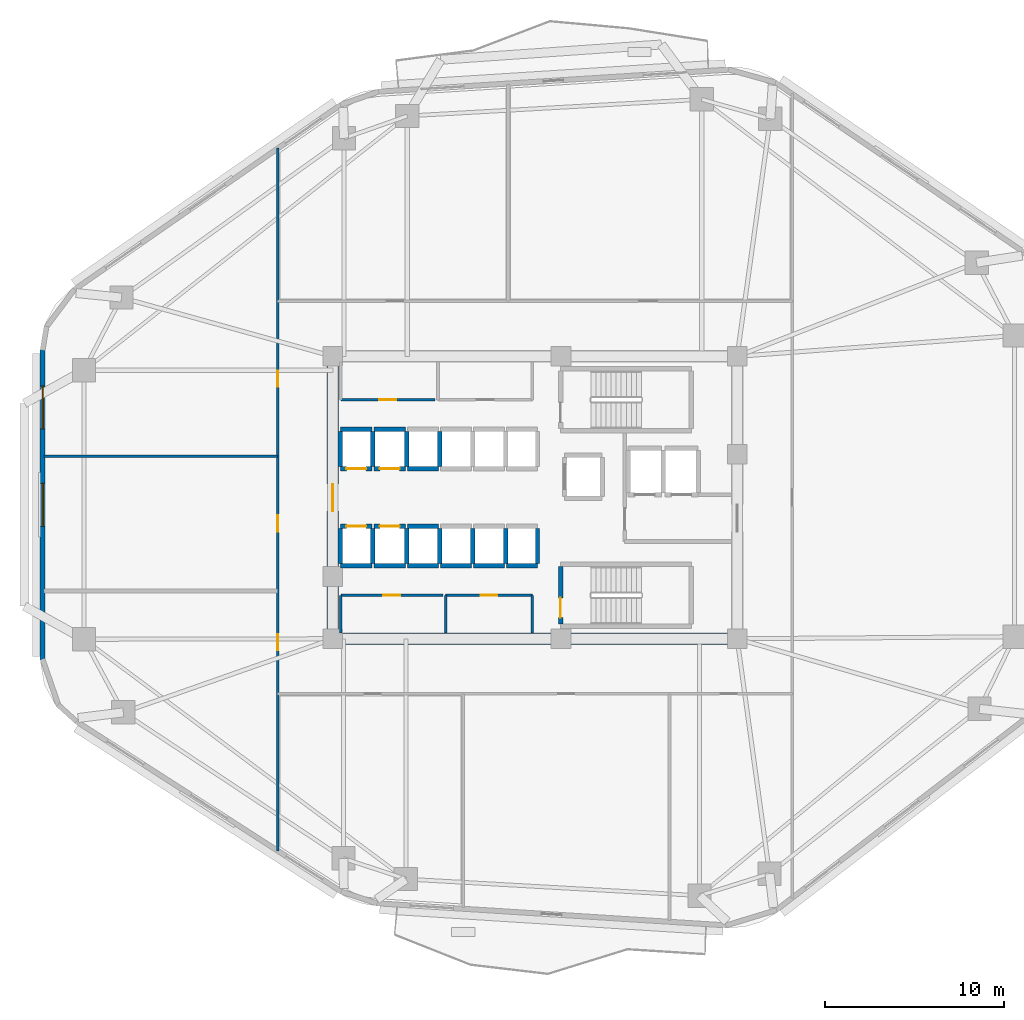
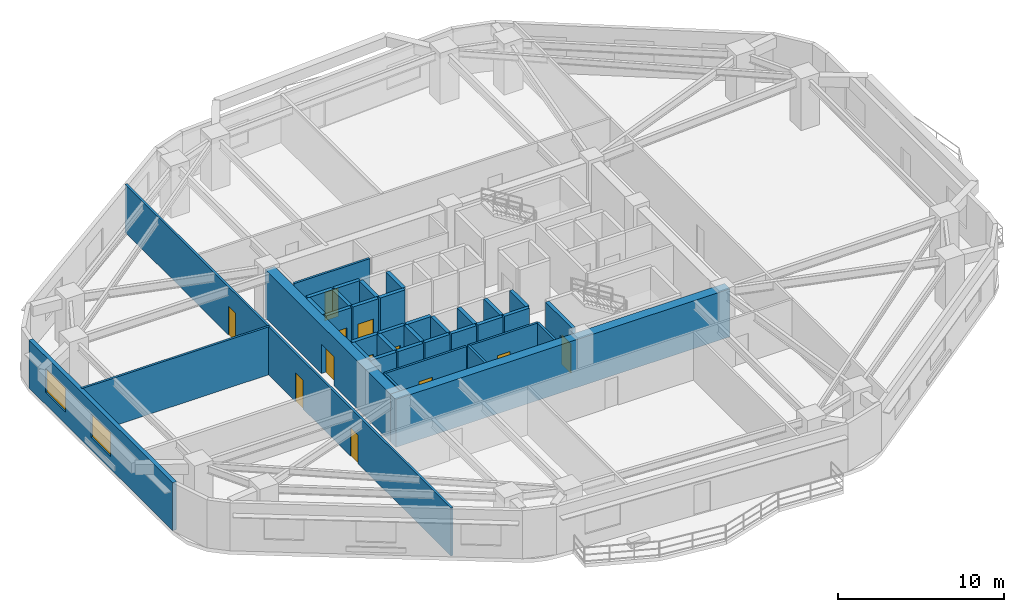
# One storey, part 3 of 8: 37 walls, 12 doors, 2 windows, 14 openings.
"""IFC4 building model written with IfcOpenShell, lengths in metres."""

from ifc_helpers import new_model, si_unit, direction, frame, frame_2d, origin, place, context, subcontext, project, spatial, rectangle, extrude, material, layer, layer_set, type_object, element, fill, save


model = new_model("IFC4")

# Units and contexts
model_context = context("Model", 3, precision=1e-05, world=origin(), true_north=direction((0.0, 1.0)))
body_context = subcontext(model_context, "Body", "Model", "MODEL_VIEW")
ifc_project = project(units=[si_unit("LENGTHUNIT", "METRE"), si_unit("AREAUNIT", "SQUARE_METRE"), si_unit("VOLUMEUNIT", "CUBIC_METRE"), si_unit("PLANEANGLEUNIT", "RADIAN"), si_unit("MASSUNIT", "GRAM", prefix="KILO")], contexts=[model_context])

# Site, building, storey
site_placement = place(None, origin())
site = spatial("IfcSite", under=ifc_project, at=site_placement, CompositionType="ELEMENT")
building_placement = place(site_placement, origin())
building = spatial("IfcBuilding", under=site, at=building_placement, Name="Zulverin Broadcast Headquarters", CompositionType="ELEMENT")
storey_placement = place(building_placement, frame((0.0, 0.0, 44.0)))
storey = spatial("IfcBuildingStorey", under=building, at=storey_placement, Name="L10", CompositionType="ELEMENT", Elevation=44.0)

# Wall
ifc_material_1 = material(Name="Concrete C60/75", Category="concrete")
ifc_layer_1 = layer(ifc_material_1, 0.64990234375, Name="Concrete C60/75", Category="concrete")
ifc_layer_set_1 = layer_set([ifc_layer_1], Name="Concrete C60/75")
wall_type_1 = type_object("IfcWallType", Name="WL-CORE-650", PredefinedType="SHEAR", material=ifc_layer_set_1)
wall_1_placement = place(storey_placement, frame((25.39990234375, 17.324951171875, 0.0), z_axis=(0.0, 0.0, 1.0), x_axis=(1.0, 0.0, 0.0)))
element("IfcWall", 1, at=wall_1_placement, inside=storey, type_object=wall_type_1, Name="L10 Core South Shear Wall", PredefinedType="SHEAR", context=body_context, shape_type="SweptSolid", body=[
    extrude(rectangle(XDim=23.2001953125, YDim=0.64990234375, at=frame_2d((11.60009765625, 0.0))), origin(), (0.0, 0.0, 1.0), 3.52490234375),
])

# Wall, opening, door
wall_2_placement = place(storey_placement, frame((25.72509765625, 17.64990234375, 0.0), z_axis=(0.0, 0.0, 1.0), x_axis=(0.0, 1.0, 0.0)))
wall_2 = element("IfcWall", 2, at=wall_2_placement, inside=storey, type_object=wall_type_1, Name="L10 Core West Shear Wall", PredefinedType="SHEAR", context=body_context, shape_type="SweptSolid", body=[
    extrude(rectangle(XDim=15.10009765625, YDim=0.64990234375, at=frame_2d((7.550048828125, 0.0))), origin(), (0.0, 0.0, 1.0), 3.52490234375),
])
opening_1_placement = place(wall_2_placement, frame((6.800048828125, 0.0, 0.0)))
opening_1 = element("IfcOpeningElement", 3, at=opening_1_placement, cuts=wall_2, Name="Opening D-L10-CW1", PredefinedType="OPENING", context=body_context, shape_type="SweptSolid", body=[
    extrude(rectangle(XDim=1.5, YDim=2.14990234375, at=frame_2d((0.75, 1.074951171875))), frame((0.0, 0.3349609375, 0.0), z_axis=(0.0, -1.0, 0.0), x_axis=(1.0, 0.0, 0.0)), (0.0, 0.0, 1.0), 0.669921875),
])
ifc_material_2 = material(Name="Fire-rated glazed steel frame", Category="steel")
door_type_1 = type_object("IfcDoorType", Name="DR-COR-1500", OperationType="DOUBLE_DOOR_SINGLE_SWING", PredefinedType="DOOR", material=ifc_material_2)
door_1_placement = place(opening_1_placement, origin())
door_1 = element("IfcDoor", 4, at=door_1_placement, inside=storey, type_object=door_type_1, Name="L10 Central Lift Lobby West Portal Door", OperationType="DOUBLE_DOOR_SINGLE_SWING", OverallHeight=2.14990234375, OverallWidth=1.5, PredefinedType="DOOR", context=body_context, shape_type="SweptSolid", body=[
    extrude(rectangle(XDim=1.5, YDim=2.14990234375, at=frame_2d((0.75, 1.074951171875))), frame((0.0, 0.02490234375, 0.0), z_axis=(0.0, -1.0, 0.0), x_axis=(1.0, 0.0, 0.0)), (0.0, 0.0, 1.0), 0.050048828125),
])
fill(opening_1, door_1)

# Wall, openings, windows
ifc_material_3 = material(Name="Insulated pale-metal clad concrete spandrel C40/50", Category="concrete")
ifc_layer_2 = layer(ifc_material_3, 0.280029296875, Name="Insulated pale-metal clad concrete spandrel C40/50", Category="concrete")
ifc_layer_set_2 = layer_set([ifc_layer_2], Name="Insulated pale-metal clad concrete spandrel C40/50")
wall_type_2 = type_object("IfcWallType", Name="WL-EXT-280", PredefinedType="STANDARD", material=ifc_layer_set_2)
wall_3_placement = place(storey_placement, frame((9.5400390625, 33.4443359375, 0.0), z_axis=(0.0, 0.0, 1.0), x_axis=(0.0, -1.0, 0.0)))
wall_3 = element("IfcWall", 5, at=wall_3_placement, inside=storey, type_object=wall_type_2, Name="L10 Pale-Metal Clad Spandrel Wall 7", PredefinedType="STANDARD", context=body_context, shape_type="SweptSolid", body=[
    extrude(rectangle(XDim=17.30078125, YDim=0.280029296875, at=frame_2d((8.650390625, 0.0))), origin(), (0.0, 0.0, 1.0), 3.52490234375),
])
opening_2_placement = place(wall_3_placement, frame((2.016845703125, 0.0, 0.89990234375)))
opening_2 = element("IfcOpeningElement", 6, at=opening_2_placement, cuts=wall_3, Name="Opening W-L10-E71", PredefinedType="OPENING", context=body_context, shape_type="SweptSolid", body=[
    extrude(rectangle(XDim=2.39990234375, YDim=1.75, at=frame_2d((1.199951171875, 0.875))), frame((0.0, 0.14990234375, 0.0), z_axis=(0.0, -1.0, 0.0), x_axis=(1.0, 0.0, 0.0)), (0.0, 0.0, 1.0), 0.300048828125),
])
opening_3_placement = place(wall_3_placement, frame((7.450439453125, 0.0, 0.89990234375)))
opening_3 = element("IfcOpeningElement", 7, at=opening_3_placement, cuts=wall_3, Name="Opening W-L10-E72", PredefinedType="OPENING", context=body_context, shape_type="SweptSolid", body=[
    extrude(rectangle(XDim=2.39990234375, YDim=1.75, at=frame_2d((1.199951171875, 0.875))), frame((0.0, 0.14990234375, 0.0), z_axis=(0.0, -1.0, 0.0), x_axis=(1.0, 0.0, 0.0)), (0.0, 0.0, 1.0), 0.300048828125),
])
ifc_material_4 = material(Name="Pale anodized aluminium frame with solar-control low-E double glazing", Category="aluminium")
window_type = type_object("IfcWindowType", Name="WIN-RIB-2400", PartitioningType="SINGLE_PANEL", PredefinedType="WINDOW", material=ifc_material_4)
window_1_placement = place(opening_2_placement, origin())
window_1 = element("IfcWindow", 8, at=window_1_placement, inside=storey, type_object=window_type, Name="L10 Ribbon Glazing Window 7 1", OverallHeight=1.75, OverallWidth=2.39990234375, PartitioningType="SINGLE_PANEL", PredefinedType="WINDOW", context=body_context, shape_type="SweptSolid", body=[
    extrude(rectangle(XDim=2.39990234375, YDim=1.75, at=frame_2d((1.199951171875, 0.875))), frame((0.0, 0.030029296875, 0.0), z_axis=(0.0, -1.0, 0.0), x_axis=(1.0, 0.0, 0.0)), (0.0, 0.0, 1.0), 0.06005859375),
])
fill(opening_2, window_1)
window_2_placement = place(opening_3_placement, origin())
window_2 = element("IfcWindow", 9, at=window_2_placement, inside=storey, type_object=window_type, Name="L10 Ribbon Glazing Window 7 2", OverallHeight=1.75, OverallWidth=2.39990234375, PartitioningType="SINGLE_PANEL", PredefinedType="WINDOW", context=body_context, shape_type="SweptSolid", body=[
    extrude(rectangle(XDim=2.39990234375, YDim=1.75, at=frame_2d((1.199951171875, 0.875))), frame((0.0, 0.030029296875, 0.0), z_axis=(0.0, -1.0, 0.0), x_axis=(1.0, 0.0, 0.0)), (0.0, 0.0, 1.0), 0.06005859375),
])
fill(opening_3, window_2)

# Wall, opening, door
ifc_material_5 = material(Name="Fire-rated gypsum stud partition", Category="gypsum")
ifc_layer_3 = layer(ifc_material_5, 0.14990234375, Name="Fire-rated gypsum stud partition", Category="gypsum")
ifc_layer_set_3 = layer_set([ifc_layer_3], Name="Fire-rated gypsum stud partition")
wall_type_3 = type_object("IfcWallType", Name="WL-PART-150", PredefinedType="PARTITIONING", material=ifc_layer_set_3)
wall_4_placement = place(storey_placement, frame((26.169921875, 30.64990234375, 0.0), z_axis=(0.0, 0.0, 1.0), x_axis=(1.0, 0.0, 0.0)))
wall_4 = element("IfcWall", 10, at=wall_4_placement, inside=storey, type_object=wall_type_3, Name="L10 Core Male WC Front Wall", PredefinedType="PARTITIONING", context=body_context, shape_type="SweptSolid", body=[
    extrude(rectangle(XDim=5.260009765625, YDim=0.14990234375, at=frame_2d((2.6298828125, 0.0))), origin(), (0.0, 0.0, 1.0), 3.52490234375),
])
opening_4_placement = place(wall_4_placement, frame((2.155029296875, 0.0, 0.0)))
opening_4 = element("IfcOpeningElement", 11, at=opening_4_placement, cuts=wall_4, Name="Opening D-L10-NC1", PredefinedType="OPENING", context=body_context, shape_type="SweptSolid", body=[
    extrude(rectangle(XDim=0.949951171875, YDim=2.10009765625, at=frame_2d((0.47509765625, 1.050048828125))), frame((0.0, 0.0849609375, 0.0), z_axis=(0.0, -1.0, 0.0), x_axis=(1.0, 0.0, 0.0)), (0.0, 0.0, 1.0), 0.169921875),
])
ifc_material_6 = material(Name="Fire-rated moisture-resistant laminate leaf", Category="wood")
door_type_2 = type_object("IfcDoorType", Name="DR-WC-950", OperationType="SINGLE_SWING_LEFT", PredefinedType="DOOR", material=ifc_material_6)
door_2_placement = place(opening_4_placement, origin())
door_2 = element("IfcDoor", 12, at=door_2_placement, inside=storey, type_object=door_type_2, Name="L10 Male WC Door", OperationType="SINGLE_SWING_LEFT", OverallHeight=2.10009765625, OverallWidth=0.949951171875, PredefinedType="DOOR", context=body_context, shape_type="SweptSolid", body=[
    extrude(rectangle(XDim=0.949951171875, YDim=2.10009765625, at=frame_2d((0.47509765625, 1.050048828125))), frame((0.0, 0.02490234375, 0.0), z_axis=(0.0, -1.0, 0.0), x_axis=(1.0, 0.0, 0.0)), (0.0, 0.0, 1.0), 0.050048828125),
])
fill(opening_4, door_2)

wall_5_placement = place(storey_placement, frame((26.169921875, 19.75, 0.0), z_axis=(0.0, 0.0, 1.0), x_axis=(1.0, 0.0, 0.0)))
wall_5 = element("IfcWall", 13, at=wall_5_placement, inside=storey, type_object=wall_type_3, Name="L10 Core Female WC Front Wall", PredefinedType="PARTITIONING", context=body_context, shape_type="SweptSolid", body=[
    extrude(rectangle(XDim=5.690185546875, YDim=0.14990234375, at=frame_2d((2.84521484375, 0.0))), origin(), (0.0, 0.0, 1.0), 3.52490234375),
])
opening_5_placement = place(wall_5_placement, frame((2.3701171875, 0.0, 0.0)))
opening_5 = element("IfcOpeningElement", 14, at=opening_5_placement, cuts=wall_5, Name="Opening D-L10-SC1", PredefinedType="OPENING", context=body_context, shape_type="SweptSolid", body=[
    extrude(rectangle(XDim=0.949951171875, YDim=2.10009765625, at=frame_2d((0.47509765625, 1.050048828125))), frame((0.0, 0.0849609375, 0.0), z_axis=(0.0, -1.0, 0.0), x_axis=(1.0, 0.0, 0.0)), (0.0, 0.0, 1.0), 0.169921875),
])
door_3_placement = place(opening_5_placement, origin())
door_3 = element("IfcDoor", 15, at=door_3_placement, inside=storey, type_object=door_type_2, Name="L10 Female WC Door", OperationType="SINGLE_SWING_LEFT", OverallHeight=2.10009765625, OverallWidth=0.949951171875, PredefinedType="DOOR", context=body_context, shape_type="SweptSolid", body=[
    extrude(rectangle(XDim=0.949951171875, YDim=2.10009765625, at=frame_2d((0.47509765625, 1.050048828125))), frame((0.0, 0.02490234375, 0.0), z_axis=(0.0, -1.0, 0.0), x_axis=(1.0, 0.0, 0.0)), (0.0, 0.0, 1.0), 0.050048828125),
])
fill(opening_5, door_3)

# Wall
wall_6_placement = place(storey_placement, frame((26.169921875, 17.64990234375, 0.0), z_axis=(0.0, 0.0, 1.0), x_axis=(0.0, 1.0, 0.0)))
element("IfcWall", 16, at=wall_6_placement, inside=storey, type_object=wall_type_3, Name="L10 Core Female WC West Wall", PredefinedType="PARTITIONING", context=body_context, shape_type="SweptSolid", body=[
    extrude(rectangle(XDim=2.10009765625, YDim=0.14990234375, at=frame_2d((1.050048828125, 0.0))), origin(), (0.0, 0.0, 1.0), 3.52490234375),
])

# Wall, opening, door
wall_7_placement = place(storey_placement, frame((32.02001953125, 19.75, 0.0), z_axis=(0.0, 0.0, 1.0), x_axis=(1.0, 0.0, 0.0)))
wall_7 = element("IfcWall", 17, at=wall_7_placement, inside=storey, type_object=wall_type_3, Name="L10 Core Cleaner Store & Telecoms Riser Front Wall", PredefinedType="PARTITIONING", context=body_context, shape_type="SweptSolid", body=[
    extrude(rectangle(XDim=4.830078125, YDim=0.14990234375, at=frame_2d((2.4150390625, 0.0))), origin(), (0.0, 0.0, 1.0), 3.52490234375),
])
opening_6_placement = place(wall_7_placement, frame((1.965087890625, 0.0, 0.0)))
opening_6 = element("IfcOpeningElement", 18, at=opening_6_placement, cuts=wall_7, Name="Opening D-L10-SC2", PredefinedType="OPENING", context=body_context, shape_type="SweptSolid", body=[
    extrude(rectangle(XDim=0.89990234375, YDim=2.10009765625, at=frame_2d((0.449951171875, 1.050048828125))), frame((0.0, 0.0849609375, 0.0), z_axis=(0.0, -1.0, 0.0), x_axis=(1.0, 0.0, 0.0)), (0.0, 0.0, 1.0), 0.169921875),
])
ifc_material_7 = material(Name="Powder-coated steel access leaf", Category="steel")
door_type_3 = type_object("IfcDoorType", Name="DR-RISER-900", OperationType="SINGLE_SWING_LEFT", PredefinedType="DOOR", material=ifc_material_7)
door_4_placement = place(opening_6_placement, origin())
door_4 = element("IfcDoor", 19, at=door_4_placement, inside=storey, type_object=door_type_3, Name="L10 Cleaner Store & Telecoms Riser Door", OperationType="SINGLE_SWING_RIGHT", OverallHeight=2.10009765625, OverallWidth=0.89990234375, PredefinedType="DOOR", context=body_context, shape_type="SweptSolid", body=[
    extrude(rectangle(XDim=0.89990234375, YDim=2.10009765625, at=frame_2d((0.449951171875, 1.050048828125))), frame((0.0, 0.02490234375, 0.0), z_axis=(0.0, -1.0, 0.0), x_axis=(1.0, 0.0, 0.0)), (0.0, 0.0, 1.0), 0.050048828125),
])
fill(opening_6, door_4)

# Walls
for number, where, z_axis, x_axis, name in (
    (20, (32.02001953125, 17.64990234375, 0.0), (0.0, 0.0, 1.0), (0.0, 1.0, 0.0), "L10 Core Cleaner Store & Telecoms Riser West Wall"),
    (21, (36.85009765625, 17.64990234375, 0.0), (0.0, 0.0, 1.0), (0.0, 1.0, 0.0), "L10 Core Cleaner Store & Telecoms Riser East Wall"),
):
    element("IfcWall", number, at=place(storey_placement, frame(where, z_axis=z_axis, x_axis=x_axis)), inside=storey, type_object=wall_type_3, Name=name, PredefinedType="PARTITIONING", context=body_context, shape_type="SweptSolid", body=[
        extrude(rectangle(XDim=2.10009765625, YDim=0.14990234375, at=frame_2d((1.050048828125, 0.0))), origin(), (0.0, 0.0, 1.0), 3.52490234375),
    ])

# Wall, openings, doors
wall_8_placement = place(storey_placement, frame((22.64990234375, 5.476318359375, 0.0), z_axis=(0.0, 0.0, 1.0), x_axis=(0.0, 1.0, 0.0)))
wall_8 = element("IfcWall", 22, at=wall_8_placement, inside=storey, type_object=wall_type_3, Name="L10 Gallery Partition Wall CG-05", PredefinedType="PARTITIONING", context=body_context, shape_type="SweptSolid", body=[
    extrude(rectangle(XDim=39.220703125, YDim=0.14990234375, at=frame_2d((19.6103515625, 0.0))), origin(), (0.0, 0.0, 1.0), 3.52490234375),
])
opening_7_placement = place(wall_8_placement, frame((11.19873046875, 0.0, 0.0)))
opening_7 = element("IfcOpeningElement", 23, at=opening_7_placement, cuts=wall_8, Name="Opening D-L10-06", PredefinedType="OPENING", context=body_context, shape_type="SweptSolid", body=[
    extrude(rectangle(XDim=0.89990234375, YDim=2.10009765625, at=frame_2d((0.449951171875, 1.050048828125))), frame((0.0, 0.0849609375, 0.0), z_axis=(0.0, -1.0, 0.0), x_axis=(1.0, 0.0, 0.0)), (0.0, 0.0, 1.0), 0.169921875),
])
opening_8_placement = place(wall_8_placement, frame((17.82373046875, 0.0, 0.0)))
opening_8 = element("IfcOpeningElement", 24, at=opening_8_placement, cuts=wall_8, Name="Opening D-L10-07", PredefinedType="OPENING", context=body_context, shape_type="SweptSolid", body=[
    extrude(rectangle(XDim=0.89990234375, YDim=2.10009765625, at=frame_2d((0.449951171875, 1.050048828125))), frame((0.0, 0.0849609375, 0.0), z_axis=(0.0, -1.0, 0.0), x_axis=(1.0, 0.0, 0.0)), (0.0, 0.0, 1.0), 0.169921875),
])
opening_9_placement = place(wall_8_placement, frame((25.898681640625, 0.0, 0.0)))
opening_9 = element("IfcOpeningElement", 25, at=opening_9_placement, cuts=wall_8, Name="Opening D-L10-08", PredefinedType="OPENING", context=body_context, shape_type="SweptSolid", body=[
    extrude(rectangle(XDim=0.89990234375, YDim=2.10009765625, at=frame_2d((0.449951171875, 1.050048828125))), frame((0.0, 0.0849609375, 0.0), z_axis=(0.0, -1.0, 0.0), x_axis=(1.0, 0.0, 0.0)), (0.0, 0.0, 1.0), 0.169921875),
])
ifc_material_8 = material(Name="Fire-rated hardwood veneer timber leaf", Category="wood")
door_type_4 = type_object("IfcDoorType", Name="DR-ROOM-900", OperationType="SINGLE_SWING_RIGHT", PredefinedType="DOOR", material=ifc_material_8)
door_5_placement = place(opening_7_placement, origin())
door_5 = element("IfcDoor", 26, at=door_5_placement, inside=storey, type_object=door_type_4, Name="L10 Interview Room Door", OperationType="SINGLE_SWING_RIGHT", OverallHeight=2.10009765625, OverallWidth=0.89990234375, PredefinedType="DOOR", context=body_context, shape_type="SweptSolid", body=[
    extrude(rectangle(XDim=0.89990234375, YDim=2.10009765625, at=frame_2d((0.449951171875, 1.050048828125))), frame((0.0, 0.02490234375, 0.0), z_axis=(0.0, -1.0, 0.0), x_axis=(1.0, 0.0, 0.0)), (0.0, 0.0, 1.0), 0.050048828125),
])
fill(opening_7, door_5)
door_6_placement = place(opening_8_placement, origin())
door_6 = element("IfcDoor", 27, at=door_6_placement, inside=storey, type_object=door_type_4, Name="L10 Reference Library Door", OperationType="SINGLE_SWING_LEFT", OverallHeight=2.10009765625, OverallWidth=0.89990234375, PredefinedType="DOOR", context=body_context, shape_type="SweptSolid", body=[
    extrude(rectangle(XDim=0.89990234375, YDim=2.10009765625, at=frame_2d((0.449951171875, 1.050048828125))), frame((0.0, 0.02490234375, 0.0), z_axis=(0.0, -1.0, 0.0), x_axis=(1.0, 0.0, 0.0)), (0.0, 0.0, 1.0), 0.050048828125),
])
fill(opening_8, door_6)
door_7_placement = place(opening_9_placement, origin())
door_7 = element("IfcDoor", 28, at=door_7_placement, inside=storey, type_object=door_type_4, Name="L10 Tea Pantry Door", OperationType="SINGLE_SWING_RIGHT", OverallHeight=2.10009765625, OverallWidth=0.89990234375, PredefinedType="DOOR", context=body_context, shape_type="SweptSolid", body=[
    extrude(rectangle(XDim=0.89990234375, YDim=2.10009765625, at=frame_2d((0.449951171875, 1.050048828125))), frame((0.0, 0.02490234375, 0.0), z_axis=(0.0, -1.0, 0.0), x_axis=(1.0, 0.0, 0.0)), (0.0, 0.0, 1.0), 0.050048828125),
])
fill(opening_9, door_7)

# Wall
wall_9_placement = place(storey_placement, frame((9.60498046875, 27.5, 0.0), z_axis=(0.0, 0.0, 1.0), x_axis=(1.0, 0.0, 0.0)))
element("IfcWall", 29, at=wall_9_placement, inside=storey, type_object=wall_type_3, Name="L10 Room Partition Wall RP-08", PredefinedType="PARTITIONING", context=body_context, shape_type="SweptSolid", body=[
    extrude(rectangle(XDim=13.044921875, YDim=0.14990234375, at=frame_2d((6.5224609375, 0.0))), origin(), (0.0, 0.0, 1.0), 3.52490234375),
])

# Wall, opening, door
ifc_material_9 = material(Name="Concrete C50/60", Category="concrete")
ifc_layer_4 = layer(ifc_material_9, 0.25, Name="Concrete C50/60", Category="concrete")
ifc_layer_set_4 = layer_set([ifc_layer_4], Name="Concrete C50/60")
wall_type_4 = type_object("IfcWallType", Name="WL-SHAFT-250", PredefinedType="SHEAR", material=ifc_layer_set_4)
wall_10_placement = place(storey_placement, frame((38.425048828125, 18.14990234375, 0.0), z_axis=(0.0, 0.0, 1.0), x_axis=(0.0, 1.0, 0.0)))
wall_10 = element("IfcWall", 30, at=wall_10_placement, inside=storey, type_object=wall_type_4, Name="L10 ST-2 Enclosure Wall W", PredefinedType="SHEAR", context=body_context, shape_type="SweptSolid", body=[
    extrude(rectangle(XDim=3.2001953125, YDim=0.25, at=frame_2d((1.60009765625, 0.0))), origin(), (0.0, 0.0, 1.0), 3.52490234375),
])
opening_10_placement = place(wall_10_placement, frame((0.35009765625, 0.0, 0.0)))
opening_10 = element("IfcOpeningElement", 31, at=opening_10_placement, cuts=wall_10, Name="Opening D-L10-ST-2", PredefinedType="OPENING", context=body_context, shape_type="SweptSolid", body=[
    extrude(rectangle(XDim=1.10009765625, YDim=2.14990234375, at=frame_2d((0.550048828125, 1.074951171875))), frame((0.0, 0.135009765625, 0.0), z_axis=(0.0, -1.0, 0.0), x_axis=(1.0, 0.0, 0.0)), (0.0, 0.0, 1.0), 0.27001953125),
])
ifc_material_10 = material(Name="Fire-rated steel leaf and frame", Category="steel")
door_type_5 = type_object("IfcDoorType", Name="DR-STAIR-1100", OperationType="SINGLE_SWING_LEFT", PredefinedType="DOOR", material=ifc_material_10)
door_8_placement = place(opening_10_placement, origin())
door_8 = element("IfcDoor", 32, at=door_8_placement, inside=storey, type_object=door_type_5, Name="L10 Exit Stair ST-2 Fire Door", OperationType="SINGLE_SWING_RIGHT", OverallHeight=2.14990234375, OverallWidth=1.10009765625, PredefinedType="DOOR", context=body_context, shape_type="SweptSolid", body=[
    extrude(rectangle(XDim=1.10009765625, YDim=2.14990234375, at=frame_2d((0.550048828125, 1.074951171875))), frame((0.0, 0.02490234375, 0.0), z_axis=(0.0, -1.0, 0.0), x_axis=(1.0, 0.0, 0.0)), (0.0, 0.0, 1.0), 0.050048828125),
])
fill(opening_10, door_8)

wall_11_placement = place(storey_placement, frame((26.14990234375, 26.800048828125, 0.0), z_axis=(0.0, 0.0, 1.0), x_axis=(1.0, 0.0, 0.0)))
wall_11 = element("IfcWall", 33, at=wall_11_placement, inside=storey, type_object=wall_type_4, Name="L10 Lift PL-L1 Shaft Wall S", PredefinedType="SHEAR", context=body_context, shape_type="SweptSolid", body=[
    extrude(rectangle(XDim=1.75, YDim=0.25, at=frame_2d((0.875, 0.0))), origin(), (0.0, 0.0, 1.0), 3.52490234375),
])
opening_11_placement = place(wall_11_placement, frame((0.324951171875, 0.0, 0.0)))
opening_11 = element("IfcOpeningElement", 34, at=opening_11_placement, cuts=wall_11, Name="Opening LD-PL-L1-L10", PredefinedType="OPENING", context=body_context, shape_type="SweptSolid", body=[
    extrude(rectangle(XDim=1.10009765625, YDim=2.14990234375, at=frame_2d((0.550048828125, 1.074951171875))), frame((0.0, 0.135009765625, 0.0), z_axis=(0.0, -1.0, 0.0), x_axis=(1.0, 0.0, 0.0)), (0.0, 0.0, 1.0), 0.27001953125),
])
ifc_material_11 = material(Name="Brushed stainless steel landing", Category="steel")
door_type_6 = type_object("IfcDoorType", Name="LD-PASS-1100", OperationType="DOUBLE_DOOR_SLIDING", PredefinedType="DOOR", material=ifc_material_11)
door_9_placement = place(opening_11_placement, origin())
door_9 = element("IfcDoor", 35, at=door_9_placement, inside=storey, type_object=door_type_6, Name="L10 Lift PL-L1 Sliding Landing Door", OperationType="DOUBLE_DOOR_SLIDING", OverallHeight=2.14990234375, OverallWidth=1.10009765625, PredefinedType="DOOR", context=body_context, shape_type="SweptSolid", body=[
    extrude(rectangle(XDim=1.10009765625, YDim=2.14990234375, at=frame_2d((0.550048828125, 1.074951171875))), frame((0.0, 0.02490234375, 0.0), z_axis=(0.0, -1.0, 0.0), x_axis=(1.0, 0.0, 0.0)), (0.0, 0.0, 1.0), 0.050048828125),
])
fill(opening_11, door_9)

# Walls
wall_12_placement = place(storey_placement, frame((26.14990234375, 29.0, 0.0), z_axis=(0.0, 0.0, 1.0), x_axis=(1.0, 0.0, 0.0)))
element("IfcWall", 36, at=wall_12_placement, inside=storey, type_object=wall_type_4, Name="L10 Lift PL-L1 Shaft Wall N", PredefinedType="SHEAR", context=body_context, shape_type="SweptSolid", body=[
    extrude(rectangle(XDim=1.75, YDim=0.25, at=frame_2d((0.875, 0.0))), origin(), (0.0, 0.0, 1.0), 3.52490234375),
])
for number, where, z_axis, x_axis, name in (
    (37, (26.14990234375, 26.919921875, 0.0), (0.0, 0.0, 1.0), (0.0, 1.0, 0.0), "L10 Lift PL-L1 Shaft Wall W"),
    (38, (27.9599609375, 26.919921875, 0.0), (0.0, 0.0, 1.0), (0.0, 1.0, 0.0), "L10 Lift PL-L1 Shaft Wall E"),
):
    element("IfcWall", number, at=place(storey_placement, frame(where, z_axis=z_axis, x_axis=x_axis)), inside=storey, type_object=wall_type_4, Name=name, PredefinedType="SHEAR", context=body_context, shape_type="SweptSolid", body=[
        extrude(rectangle(XDim=1.9599609375, YDim=0.25, at=frame_2d((0.97998046875, 0.0))), origin(), (0.0, 0.0, 1.0), 3.52490234375),
    ])

# Wall, opening, door
wall_13_placement = place(storey_placement, frame((28.02001953125, 26.800048828125, 0.0), z_axis=(0.0, 0.0, 1.0), x_axis=(1.0, 0.0, 0.0)))
wall_13 = element("IfcWall", 39, at=wall_13_placement, inside=storey, type_object=wall_type_4, Name="L10 Lift PL-L2 Shaft Wall S", PredefinedType="SHEAR", context=body_context, shape_type="SweptSolid", body=[
    extrude(rectangle(XDim=1.75, YDim=0.25, at=frame_2d((0.875, 0.0))), origin(), (0.0, 0.0, 1.0), 3.52490234375),
])
opening_12_placement = place(wall_13_placement, frame((0.324951171875, 0.0, 0.0)))
opening_12 = element("IfcOpeningElement", 40, at=opening_12_placement, cuts=wall_13, Name="Opening LD-PL-L2-L10", PredefinedType="OPENING", context=body_context, shape_type="SweptSolid", body=[
    extrude(rectangle(XDim=1.10009765625, YDim=2.14990234375, at=frame_2d((0.550048828125, 1.074951171875))), frame((0.0, 0.135009765625, 0.0), z_axis=(0.0, -1.0, 0.0), x_axis=(1.0, 0.0, 0.0)), (0.0, 0.0, 1.0), 0.27001953125),
])
door_10_placement = place(opening_12_placement, origin())
door_10 = element("IfcDoor", 41, at=door_10_placement, inside=storey, type_object=door_type_6, Name="L10 Lift PL-L2 Sliding Landing Door", OperationType="DOUBLE_DOOR_SLIDING", OverallHeight=2.14990234375, OverallWidth=1.10009765625, PredefinedType="DOOR", context=body_context, shape_type="SweptSolid", body=[
    extrude(rectangle(XDim=1.10009765625, YDim=2.14990234375, at=frame_2d((0.550048828125, 1.074951171875))), frame((0.0, 0.02490234375, 0.0), z_axis=(0.0, -1.0, 0.0), x_axis=(1.0, 0.0, 0.0)), (0.0, 0.0, 1.0), 0.050048828125),
])
fill(opening_12, door_10)

# Walls
wall_14_placement = place(storey_placement, frame((28.02001953125, 29.0, 0.0), z_axis=(0.0, 0.0, 1.0), x_axis=(1.0, 0.0, 0.0)))
element("IfcWall", 42, at=wall_14_placement, inside=storey, type_object=wall_type_4, Name="L10 Lift PL-L2 Shaft Wall N", PredefinedType="SHEAR", context=body_context, shape_type="SweptSolid", body=[
    extrude(rectangle(XDim=1.75, YDim=0.25, at=frame_2d((0.875, 0.0))), origin(), (0.0, 0.0, 1.0), 3.52490234375),
])
wall_15_placement = place(storey_placement, frame((29.8349609375, 26.919921875, 0.0), z_axis=(0.0, 0.0, 1.0), x_axis=(0.0, 1.0, 0.0)))
element("IfcWall", 43, at=wall_15_placement, inside=storey, type_object=wall_type_4, Name="L10 Lift PL-L2 Shaft Wall E", PredefinedType="SHEAR", context=body_context, shape_type="SweptSolid", body=[
    extrude(rectangle(XDim=1.9599609375, YDim=0.25, at=frame_2d((0.97998046875, 0.0))), origin(), (0.0, 0.0, 1.0), 3.52490234375),
])
wall_16_placement = place(storey_placement, frame((26.14990234375, 21.39990234375, 0.0), z_axis=(0.0, 0.0, 1.0), x_axis=(1.0, 0.0, 0.0)))
element("IfcWall", 44, at=wall_16_placement, inside=storey, type_object=wall_type_4, Name="L10 Lift PL-L3 Shaft Wall S", PredefinedType="SHEAR", context=body_context, shape_type="SweptSolid", body=[
    extrude(rectangle(XDim=1.75, YDim=0.25, at=frame_2d((0.875, 0.0))), origin(), (0.0, 0.0, 1.0), 3.52490234375),
])

# Wall, opening, door
wall_17_placement = place(storey_placement, frame((26.14990234375, 23.60009765625, 0.0), z_axis=(0.0, 0.0, 1.0), x_axis=(1.0, 0.0, 0.0)))
wall_17 = element("IfcWall", 45, at=wall_17_placement, inside=storey, type_object=wall_type_4, Name="L10 Lift PL-L3 Shaft Wall N", PredefinedType="SHEAR", context=body_context, shape_type="SweptSolid", body=[
    extrude(rectangle(XDim=1.75, YDim=0.25, at=frame_2d((0.875, 0.0))), origin(), (0.0, 0.0, 1.0), 3.52490234375),
])
opening_13_placement = place(wall_17_placement, frame((0.324951171875, 0.0, 0.0)))
opening_13 = element("IfcOpeningElement", 46, at=opening_13_placement, cuts=wall_17, Name="Opening LD-PL-L3-L10", PredefinedType="OPENING", context=body_context, shape_type="SweptSolid", body=[
    extrude(rectangle(XDim=1.10009765625, YDim=2.14990234375, at=frame_2d((0.550048828125, 1.074951171875))), frame((0.0, 0.135009765625, 0.0), z_axis=(0.0, -1.0, 0.0), x_axis=(1.0, 0.0, 0.0)), (0.0, 0.0, 1.0), 0.27001953125),
])
door_11_placement = place(opening_13_placement, origin())
door_11 = element("IfcDoor", 47, at=door_11_placement, inside=storey, type_object=door_type_6, Name="L10 Lift PL-L3 Sliding Landing Door", OperationType="DOUBLE_DOOR_SLIDING", OverallHeight=2.14990234375, OverallWidth=1.10009765625, PredefinedType="DOOR", context=body_context, shape_type="SweptSolid", body=[
    extrude(rectangle(XDim=1.10009765625, YDim=2.14990234375, at=frame_2d((0.550048828125, 1.074951171875))), frame((0.0, 0.02490234375, 0.0), z_axis=(0.0, -1.0, 0.0), x_axis=(1.0, 0.0, 0.0)), (0.0, 0.0, 1.0), 0.050048828125),
])
fill(opening_13, door_11)

# Walls
for number, where, z_axis, x_axis, name in (
    (48, (26.14990234375, 21.52001953125, 0.0), (0.0, 0.0, 1.0), (0.0, 1.0, 0.0), "L10 Lift PL-L3 Shaft Wall W"),
    (49, (27.9599609375, 21.52001953125, 0.0), (0.0, 0.0, 1.0), (0.0, 1.0, 0.0), "L10 Lift PL-L3 Shaft Wall E"),
):
    element("IfcWall", number, at=place(storey_placement, frame(where, z_axis=z_axis, x_axis=x_axis)), inside=storey, type_object=wall_type_4, Name=name, PredefinedType="SHEAR", context=body_context, shape_type="SweptSolid", body=[
        extrude(rectangle(XDim=1.9599609375, YDim=0.25, at=frame_2d((0.97998046875, 0.0))), origin(), (0.0, 0.0, 1.0), 3.52490234375),
    ])
wall_18_placement = place(storey_placement, frame((28.02001953125, 21.39990234375, 0.0), z_axis=(0.0, 0.0, 1.0), x_axis=(1.0, 0.0, 0.0)))
element("IfcWall", 50, at=wall_18_placement, inside=storey, type_object=wall_type_4, Name="L10 Lift PL-L4 Shaft Wall S", PredefinedType="SHEAR", context=body_context, shape_type="SweptSolid", body=[
    extrude(rectangle(XDim=1.75, YDim=0.25, at=frame_2d((0.875, 0.0))), origin(), (0.0, 0.0, 1.0), 3.52490234375),
])

# Wall, opening, door
wall_19_placement = place(storey_placement, frame((28.02001953125, 23.60009765625, 0.0), z_axis=(0.0, 0.0, 1.0), x_axis=(1.0, 0.0, 0.0)))
wall_19 = element("IfcWall", 51, at=wall_19_placement, inside=storey, type_object=wall_type_4, Name="L10 Lift PL-L4 Shaft Wall N", PredefinedType="SHEAR", context=body_context, shape_type="SweptSolid", body=[
    extrude(rectangle(XDim=1.75, YDim=0.25, at=frame_2d((0.875, 0.0))), origin(), (0.0, 0.0, 1.0), 3.52490234375),
])
opening_14_placement = place(wall_19_placement, frame((0.324951171875, 0.0, 0.0)))
opening_14 = element("IfcOpeningElement", 52, at=opening_14_placement, cuts=wall_19, Name="Opening LD-PL-L4-L10", PredefinedType="OPENING", context=body_context, shape_type="SweptSolid", body=[
    extrude(rectangle(XDim=1.10009765625, YDim=2.14990234375, at=frame_2d((0.550048828125, 1.074951171875))), frame((0.0, 0.135009765625, 0.0), z_axis=(0.0, -1.0, 0.0), x_axis=(1.0, 0.0, 0.0)), (0.0, 0.0, 1.0), 0.27001953125),
])
door_12_placement = place(opening_14_placement, origin())
door_12 = element("IfcDoor", 53, at=door_12_placement, inside=storey, type_object=door_type_6, Name="L10 Lift PL-L4 Sliding Landing Door", OperationType="DOUBLE_DOOR_SLIDING", OverallHeight=2.14990234375, OverallWidth=1.10009765625, PredefinedType="DOOR", context=body_context, shape_type="SweptSolid", body=[
    extrude(rectangle(XDim=1.10009765625, YDim=2.14990234375, at=frame_2d((0.550048828125, 1.074951171875))), frame((0.0, 0.02490234375, 0.0), z_axis=(0.0, -1.0, 0.0), x_axis=(1.0, 0.0, 0.0)), (0.0, 0.0, 1.0), 0.050048828125),
])
fill(opening_14, door_12)

# Walls
wall_20_placement = place(storey_placement, frame((29.8349609375, 21.52001953125, 0.0), z_axis=(0.0, 0.0, 1.0), x_axis=(0.0, 1.0, 0.0)))
element("IfcWall", 54, at=wall_20_placement, inside=storey, type_object=wall_type_4, Name="L10 Lift PL-L4 Shaft Wall E", PredefinedType="SHEAR", context=body_context, shape_type="SweptSolid", body=[
    extrude(rectangle(XDim=1.9599609375, YDim=0.25, at=frame_2d((0.97998046875, 0.0))), origin(), (0.0, 0.0, 1.0), 3.52490234375),
])
for number, where, z_axis, x_axis, name in (
    (55, (29.89990234375, 21.39990234375, 0.0), (0.0, 0.0, 1.0), (1.0, 0.0, 0.0), "L10 Lift PL-M1 Shaft Wall S"),
    (56, (29.89990234375, 23.60009765625, 0.0), (0.0, 0.0, 1.0), (1.0, 0.0, 0.0), "L10 Lift PL-M1 Shaft Wall N"),
):
    element("IfcWall", number, at=place(storey_placement, frame(where, z_axis=z_axis, x_axis=x_axis)), inside=storey, type_object=wall_type_4, Name=name, PredefinedType="SHEAR", context=body_context, shape_type="SweptSolid", body=[
        extrude(rectangle(XDim=1.72021484375, YDim=0.25, at=frame_2d((0.860107421875, 0.0))), origin(), (0.0, 0.0, 1.0), 3.52490234375),
    ])
wall_21_placement = place(storey_placement, frame((31.679931640625, 21.52001953125, 0.0), z_axis=(0.0, 0.0, 1.0), x_axis=(0.0, 1.0, 0.0)))
element("IfcWall", 57, at=wall_21_placement, inside=storey, type_object=wall_type_4, Name="L10 Lift PL-M1 Shaft Wall E", PredefinedType="SHEAR", context=body_context, shape_type="SweptSolid", body=[
    extrude(rectangle(XDim=1.9599609375, YDim=0.25, at=frame_2d((0.97998046875, 0.0))), origin(), (0.0, 0.0, 1.0), 3.52490234375),
])
wall_22_placement = place(storey_placement, frame((31.739990234375, 21.39990234375, 0.0), z_axis=(0.0, 0.0, 1.0), x_axis=(1.0, 0.0, 0.0)))
element("IfcWall", 58, at=wall_22_placement, inside=storey, type_object=wall_type_4, Name="L10 Lift PL-M2 Shaft Wall S", PredefinedType="SHEAR", context=body_context, shape_type="SweptSolid", body=[
    extrude(rectangle(XDim=1.719970703125, YDim=0.25, at=frame_2d((0.85986328125, 0.0))), origin(), (0.0, 0.0, 1.0), 3.52490234375),
])
wall_23_placement = place(storey_placement, frame((33.52001953125, 21.52001953125, 0.0), z_axis=(0.0, 0.0, 1.0), x_axis=(0.0, 1.0, 0.0)))
element("IfcWall", 59, at=wall_23_placement, inside=storey, type_object=wall_type_4, Name="L10 Lift PL-M2 Shaft Wall E", PredefinedType="SHEAR", context=body_context, shape_type="SweptSolid", body=[
    extrude(rectangle(XDim=1.9599609375, YDim=0.25, at=frame_2d((0.97998046875, 0.0))), origin(), (0.0, 0.0, 1.0), 3.52490234375),
])
wall_24_placement = place(storey_placement, frame((33.580078125, 21.39990234375, 0.0), z_axis=(0.0, 0.0, 1.0), x_axis=(1.0, 0.0, 0.0)))
element("IfcWall", 60, at=wall_24_placement, inside=storey, type_object=wall_type_4, Name="L10 Lift PL-M3 Shaft Wall S", PredefinedType="SHEAR", context=body_context, shape_type="SweptSolid", body=[
    extrude(rectangle(XDim=1.719970703125, YDim=0.25, at=frame_2d((0.85986328125, 0.0))), origin(), (0.0, 0.0, 1.0), 3.52490234375),
])
wall_25_placement = place(storey_placement, frame((35.360107421875, 21.52001953125, 0.0), z_axis=(0.0, 0.0, 1.0), x_axis=(0.0, 1.0, 0.0)))
element("IfcWall", 61, at=wall_25_placement, inside=storey, type_object=wall_type_4, Name="L10 Lift PL-M3 Shaft Wall E", PredefinedType="SHEAR", context=body_context, shape_type="SweptSolid", body=[
    extrude(rectangle(XDim=1.9599609375, YDim=0.25, at=frame_2d((0.97998046875, 0.0))), origin(), (0.0, 0.0, 1.0), 3.52490234375),
])
wall_26_placement = place(storey_placement, frame((35.419921875, 21.39990234375, 0.0), z_axis=(0.0, 0.0, 1.0), x_axis=(1.0, 0.0, 0.0)))
element("IfcWall", 62, at=wall_26_placement, inside=storey, type_object=wall_type_4, Name="L10 Lift PL-M4 Shaft Wall S", PredefinedType="SHEAR", context=body_context, shape_type="SweptSolid", body=[
    extrude(rectangle(XDim=1.719970703125, YDim=0.25, at=frame_2d((0.85986328125, 0.0))), origin(), (0.0, 0.0, 1.0), 3.52490234375),
])
wall_27_placement = place(storey_placement, frame((37.139892578125, 21.52001953125, 0.0), z_axis=(0.0, 0.0, 1.0), x_axis=(0.0, 1.0, 0.0)))
element("IfcWall", 63, at=wall_27_placement, inside=storey, type_object=wall_type_4, Name="L10 Lift PL-M4 Shaft Wall E", PredefinedType="SHEAR", context=body_context, shape_type="SweptSolid", body=[
    extrude(rectangle(XDim=1.9599609375, YDim=0.25, at=frame_2d((0.97998046875, 0.0))), origin(), (0.0, 0.0, 1.0), 3.52490234375),
])
wall_28_placement = place(storey_placement, frame((29.89990234375, 26.800048828125, 0.0), z_axis=(0.0, 0.0, 1.0), x_axis=(1.0, 0.0, 0.0)))
element("IfcWall", 64, at=wall_28_placement, inside=storey, type_object=wall_type_4, Name="L10 Lift PL-H1 Shaft Wall S", PredefinedType="SHEAR", context=body_context, shape_type="SweptSolid", body=[
    extrude(rectangle(XDim=1.72021484375, YDim=0.25, at=frame_2d((0.860107421875, 0.0))), origin(), (0.0, 0.0, 1.0), 3.52490234375),
])
wall_29_placement = place(storey_placement, frame((31.679931640625, 26.919921875, 0.0), z_axis=(0.0, 0.0, 1.0), x_axis=(0.0, 1.0, 0.0)))
element("IfcWall", 65, at=wall_29_placement, inside=storey, type_object=wall_type_4, Name="L10 Lift PL-H1 Shaft Wall E", PredefinedType="SHEAR", context=body_context, shape_type="SweptSolid", body=[
    extrude(rectangle(XDim=1.9599609375, YDim=0.25, at=frame_2d((0.97998046875, 0.0))), origin(), (0.0, 0.0, 1.0), 3.52490234375),
])

save(model, "model.ifc")
